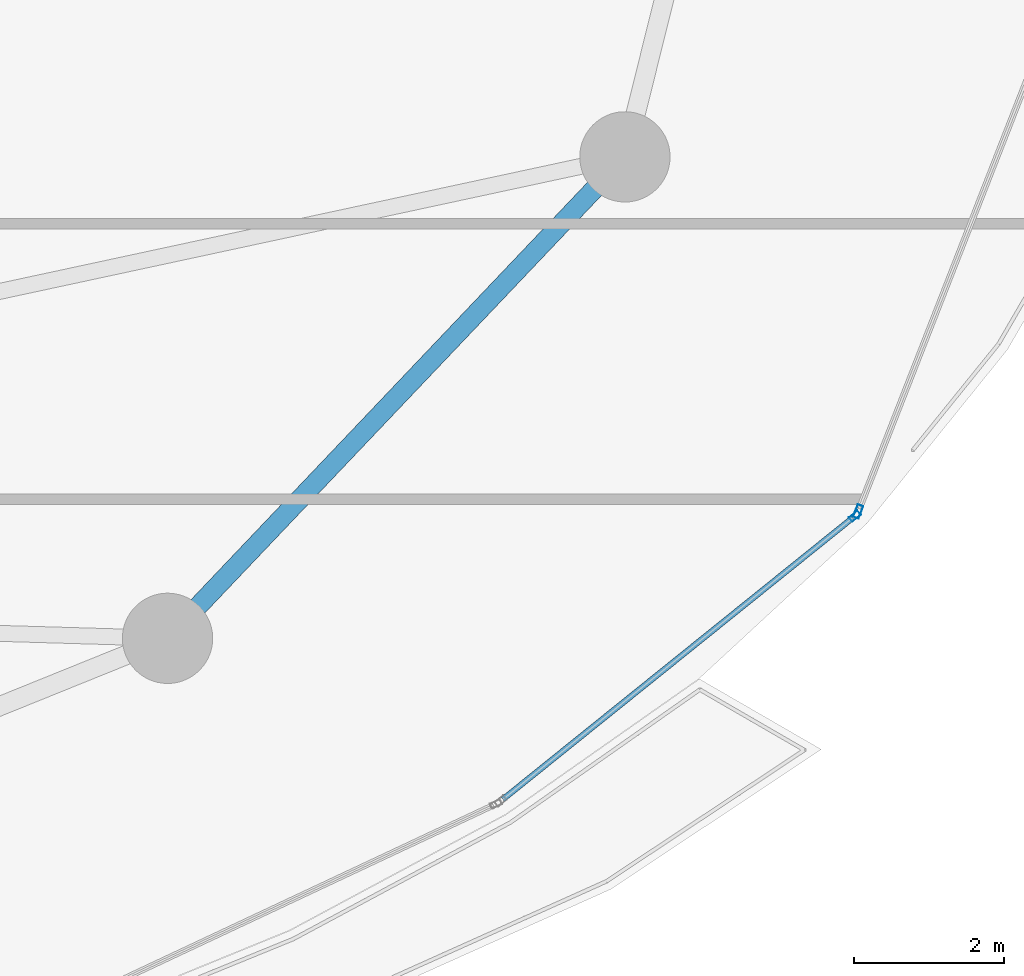
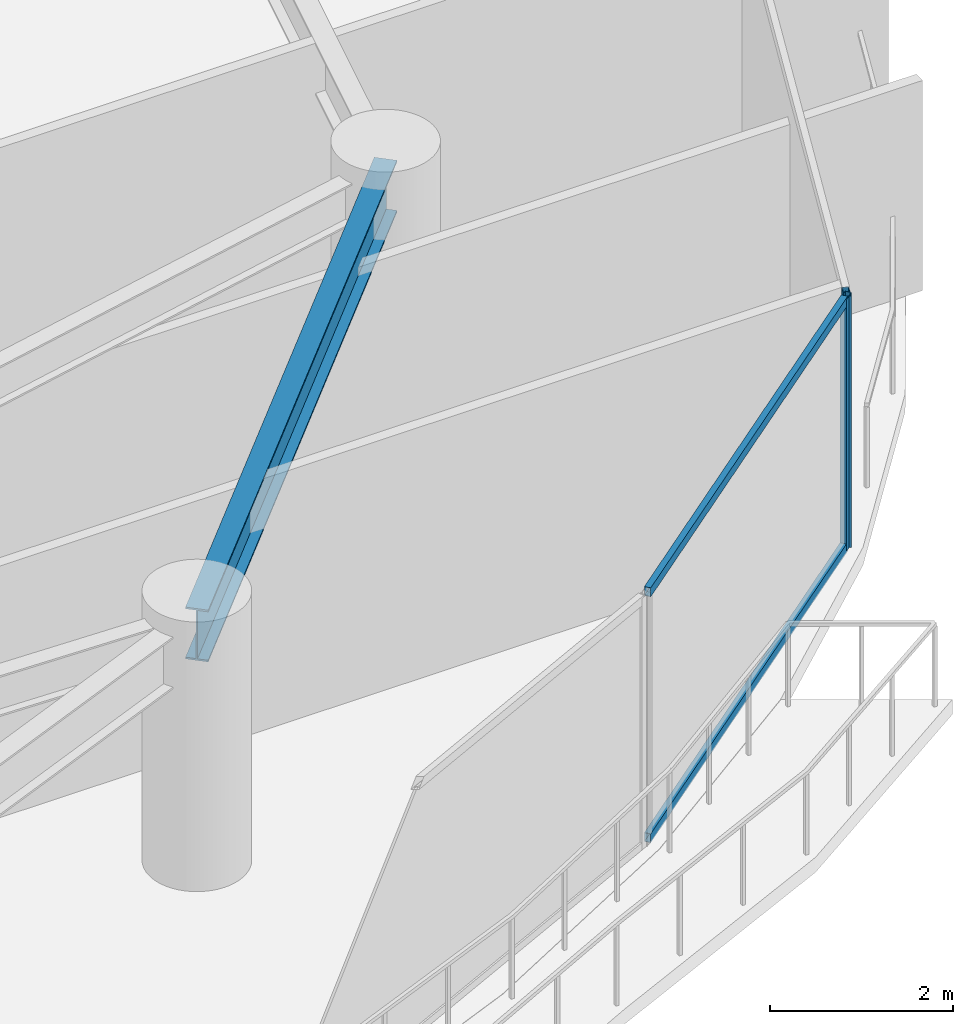
# One storey, part 15 of 34: 4 members, 1 beam, 2 elements without a shape of their own.
"""IFC4 building model written with IfcOpenShell, lengths in metres."""

import ifcopenshell
import ifcopenshell.guid

model = None  # the IFC model being written
_history = None  # IfcOwnerHistory: only IFC2X3 demands one
_inside = {}  # id of a spatial element -> (the spatial element, [elements in it])
_under = {}  # id of a project, library or spatial element -> (it, [spatial elements below it])
_declared = {}  # id of a project -> (the project, [libraries it declares])
_typed = {}  # id of a type object -> (the type object, [elements of that type])
_made_of = {}  # id of a material, layer set ... -> (it, [elements and type objects made of it])


def new_model(schema):
    """Start an empty IFC model of exactly this schema.

    Asked for "IFC4X3", IfcOpenShell would pick the latest addendum, in which some entities
    have other attributes; the version numbers below select the first issue.
    IFC2X3 requires an IfcOwnerHistory on every rooted entity: one is made here for all.
    """
    global model, _history
    if schema == "IFC4X3":
        model = ifcopenshell.file(schema_version=(4, 3, 0, 0))
    else:
        model = ifcopenshell.file(schema=schema)
    _inside.clear()
    _under.clear()
    _declared.clear()
    _typed.clear()
    _made_of.clear()
    _history = None
    if model.schema == "IFC2X3":
        org = make("IfcOrganization", Name="unknown")
        user = make(
            "IfcPersonAndOrganization",
            ThePerson=make("IfcPerson", FamilyName="unknown"),
            TheOrganization=org,
        )
        app = make(
            "IfcApplication",
            ApplicationDeveloper=org,
            Version="unknown",
            ApplicationFullName="unknown",
            ApplicationIdentifier="unknown",
        )
        _history = make(
            "IfcOwnerHistory",
            OwningUser=user,
            OwningApplication=app,
            ChangeAction="ADDED",
            CreationDate=0,
        )
    return model


def make(cls, **values):
    """One entity of the class cls with the attributes given. An attribute that is None is left unset."""
    return model.create_entity(
        cls, **{name: value for name, value in values.items() if value is not None}
    )


def rooted(cls, **values):
    """An entity with a GlobalId (a new one), such as an element, a storey or a relation."""
    return make(cls, GlobalId=ifcopenshell.guid.new(), OwnerHistory=_history, **values)


def si_unit(unit_type, name, prefix=None):
    """IfcSIUnit, for example si_unit("LENGTHUNIT", "METRE", prefix="MILLI")."""
    return make("IfcSIUnit", UnitType=unit_type, Prefix=prefix, Name=name)


def assignment(units):
    """IfcUnitAssignment: the units of a project."""
    return None if units is None else make("IfcUnitAssignment", Units=units)


def point(xyz):
    """IfcCartesianPoint."""
    return None if xyz is None else make("IfcCartesianPoint", Coordinates=xyz)


def direction(xyz):
    """IfcDirection."""
    return None if xyz is None else make("IfcDirection", DirectionRatios=xyz)


def frame(location, z_axis=None, x_axis=None):
    """IfcAxis2Placement3D, a coordinate frame: its origin and axes. An axis left out is left unset."""
    return make(
        "IfcAxis2Placement3D",
        Location=point(location),
        Axis=direction(z_axis),
        RefDirection=direction(x_axis),
    )


def frame_2d(location, x_axis=None):
    """IfcAxis2Placement2D, a coordinate frame in the plane: its origin and x axis."""
    return make(
        "IfcAxis2Placement2D", Location=point(location), RefDirection=direction(x_axis)
    )


def origin():
    """The frame at (0, 0, 0) with its axes left unset."""
    return frame((0.0, 0.0, 0.0))


def origin_2d():
    """The frame at (0, 0) in the plane with its x axis left unset."""
    return frame_2d((0.0, 0.0))


def place(relative_to, where):
    """IfcLocalPlacement: puts the frame where relative to a parent placement (None: the world)."""
    return make(
        "IfcLocalPlacement", PlacementRelTo=relative_to, RelativePlacement=where
    )


def context(
    kind, dimensions, precision=None, world=None, true_north=None, identifier=None
):
    """IfcGeometricRepresentationContext, for example the 3D "Model" context."""
    return make(
        "IfcGeometricRepresentationContext",
        ContextIdentifier=identifier,
        ContextType=kind,
        CoordinateSpaceDimension=dimensions,
        Precision=precision,
        WorldCoordinateSystem=world,
        TrueNorth=true_north,
    )


def subcontext(parent, identifier, kind, view, scale=None):
    """IfcGeometricRepresentationSubContext, for example "Body" below "Model"."""
    return make(
        "IfcGeometricRepresentationSubContext",
        ContextIdentifier=identifier,
        ContextType=kind,
        ParentContext=parent,
        TargetScale=scale,
        TargetView=view,
    )


def project(units=None, contexts=None):
    """IfcProject with its units and contexts."""
    return rooted(
        "IfcProject",
        Name="project",
        RepresentationContexts=contexts,
        UnitsInContext=assignment(units),
    )


def spatial(cls, under=None, at=None, **own):
    """A site, building, storey or space (cls), placed at a placement, below another one or the project."""
    s = rooted(cls, ObjectPlacement=at, **own)
    if under is not None:
        _under.setdefault(under.id(), (under, []))[1].append(s)
    return s


def profile(cls, at=None, kind="AREA", **sizes):
    """A parametric profile (cls). Its sizes go by their IFC names, for example OverallWidth=200.0."""
    return make(cls, ProfileType=kind, Position=at, **sizes)


def hollow_rectangle(**sizes):
    """IfcRectangleHollowProfileDef."""
    return profile("IfcRectangleHollowProfileDef", **sizes)


def i_section(**sizes):
    """IfcIShapeProfileDef."""
    return profile("IfcIShapeProfileDef", **sizes)


def extrude(swept, where, along, depth):
    """IfcExtrudedAreaSolid: the profile swept, set in the frame where, extruded along a direction by depth."""
    return make(
        "IfcExtrudedAreaSolid",
        SweptArea=swept,
        Position=where,
        ExtrudedDirection=direction(along),
        Depth=depth,
    )


def shape(context_of_items, identifier, shape_type, items):
    """IfcShapeRepresentation: the items that make up one representation, for example the "Body"."""
    return make(
        "IfcShapeRepresentation",
        ContextOfItems=context_of_items,
        RepresentationIdentifier=identifier,
        RepresentationType=shape_type,
        Items=items,
    )


def material(Name=None, Category=None):
    """IfcMaterial."""
    return make("IfcMaterial", Name=Name, Category=Category)


def layer(
    of_material, thickness, ventilated=None, Name=None, Category=None, Priority=None
):
    """IfcMaterialLayer: one layer of a wall or slab, of a material (None: an air gap)."""
    return make(
        "IfcMaterialLayer",
        Material=of_material,
        LayerThickness=thickness,
        IsVentilated=ventilated,
        Name=Name,
        Category=Category,
        Priority=Priority,
    )


def layer_set(layers, Name=None):
    """IfcMaterialLayerSet."""
    return make("IfcMaterialLayerSet", MaterialLayers=layers, LayerSetName=Name)


def material_profile(
    of_material, cross_section, Name=None, Category=None, Priority=None
):
    """IfcMaterialProfile: a cross section and its material."""
    return make(
        "IfcMaterialProfile",
        Name=Name,
        Material=of_material,
        Profile=cross_section,
        Priority=Priority,
        Category=Category,
    )


def profile_set(profiles, Name=None, composite=None):
    """IfcMaterialProfileSet."""
    return make(
        "IfcMaterialProfileSet",
        Name=Name,
        MaterialProfiles=profiles,
        CompositeProfile=composite,
    )


def made_of(thing, what):
    """Note that an element or type object is made of a material, layer set ...; save() writes the relation."""
    if what is not None:
        _made_of.setdefault(what.id(), (what, []))[1].append(thing)
    return thing


def type_object(cls, material=None, **own):
    """A type object (cls), such as IfcWallType, which elements share."""
    return made_of(rooted(cls, **own), material)


def element(
    cls,
    number,
    at=None,
    inside=None,
    cuts=None,
    type_object=None,
    material=None,
    context=None,
    identifier="Body",
    shape_type=None,
    held_by="IfcProductDefinitionShape",
    body=None,
    shapes=None,
    **own,
):
    """One element of the class cls, such as IfcWall. Its Tag is "e" and its number.

    at: its placement. inside: the storey or other place that contains it. cuts: it is an
    opening in that element (IfcRelVoidsElement). A single representation is given by context,
    identifier, shape_type and body (its items); several are given by shapes. held_by: the class
    of the entity that holds the representations. save() writes the other relations.
    """
    e = rooted(cls, Tag="e%d" % number, ObjectPlacement=at, **own)
    if body is not None:
        shapes = [shape(context, identifier, shape_type, body)]
    if shapes is not None:
        e.Representation = make(held_by, Representations=shapes)
    if inside is not None:
        _inside.setdefault(inside.id(), (inside, []))[1].append(e)
    if cuts is not None:
        rooted(
            "IfcRelVoidsElement", RelatingBuildingElement=cuts, RelatedOpeningElement=e
        )
    if type_object is not None:
        _typed.setdefault(type_object.id(), (type_object, []))[1].append(e)
    return made_of(e, material)


def aggregate(whole, parts):
    """IfcRelAggregates: a whole, such as a stair, and the parts it consists of."""
    return rooted("IfcRelAggregates", RelatingObject=whole, RelatedObjects=parts)


def save(model, path):
    """Write the relations noted so far, then the file.

    IfcRelAggregates (storeys below a building ...), IfcRelContainedInSpatialStructure (elements
    in a storey), IfcRelDefinesByType, IfcRelAssociatesMaterial and IfcRelDeclares: one each for
    every whole, place, type object, material and project.
    """
    for whole, parts in _under.values():
        aggregate(whole, parts)
    for where, things in _inside.values():
        rooted(
            "IfcRelContainedInSpatialStructure",
            RelatedElements=things,
            RelatingStructure=where,
        )
    for kind, things in _typed.values():
        rooted("IfcRelDefinesByType", RelatedObjects=things, RelatingType=kind)
    for what, things in _made_of.values():
        rooted("IfcRelAssociatesMaterial", RelatedObjects=things, RelatingMaterial=what)
    for by, libraries in _declared.values():
        rooted("IfcRelDeclares", RelatingContext=by, RelatedDefinitions=libraries)
    model.write(path)


model = new_model("IFC4")

# Units and contexts
model_context = context("Model", 3, precision=1e-05, world=origin(), true_north=direction((0.0, 1.0)))
body_context = subcontext(model_context, "Body", "Model", "MODEL_VIEW")
ifc_project = project(units=[si_unit("LENGTHUNIT", "METRE"), si_unit("AREAUNIT", "SQUARE_METRE"), si_unit("VOLUMEUNIT", "CUBIC_METRE"), si_unit("PLANEANGLEUNIT", "RADIAN"), si_unit("MASSUNIT", "GRAM", prefix="KILO")], contexts=[model_context])

# Site, building, storey
site_placement = place(None, origin())
site = spatial("IfcSite", under=ifc_project, at=site_placement, CompositionType="ELEMENT")
building_placement = place(site_placement, origin())
building = spatial("IfcBuilding", under=site, at=building_placement, Name="Kazevale Care Tower and Concert Hall", CompositionType="ELEMENT")
storey_placement = place(building_placement, frame((0.0, 0.0, 167.39990234375)))
storey = spatial("IfcBuildingStorey", under=building, at=storey_placement, Name="L44", CompositionType="ELEMENT", Elevation=167.39990234375)

# Curtain wall, member
ifc_material_1 = material(Name="Aluminium 6063-T6 and Low-E Glass", Category="aluminium")
ifc_layer_1 = layer(ifc_material_1, 0.179931640625)
ifc_layer_set_1 = layer_set([ifc_layer_1], Name="Aluminium 6063-T6 and Low-E Glass")
curtain_wall_type_1 = type_object("IfcCurtainWallType", Name="Waist & Upper Residential Curtain Wall CW-4", PredefinedType="NOTDEFINED", material=ifc_layer_set_1)
curtain_wall_1_placement = place(storey_placement, origin())
curtain_wall_1 = element("IfcCurtainWall", 1, at=curtain_wall_1_placement, inside=storey, type_object=curtain_wall_type_1, Name="cw:L44:f01", PredefinedType="NOTDEFINED")
ifc_material_2 = material(Name="Aluminium 6063-T6", Category="aluminium")
ifc_material_profile_1 = material_profile(ifc_material_2, hollow_rectangle(XDim=0.080078125, YDim=0.179931640625, WallThickness=0.0048828125, at=origin_2d()), Name="ALU80x180x5")
ifc_profile_set_1 = profile_set([ifc_material_profile_1], Name="Aluminium 6063-T6")
member_type_1 = type_object("IfcMemberType", Name="CW-4 Mullion ALU80x180x5", PredefinedType="MULLION", material=ifc_profile_set_1)
member_1_placement = place(storey_placement, frame((74.010498046875, 24.67529296875, 0.0), z_axis=(0.0, 0.0, 1.0), x_axis=(0.931351746651, -0.36412075471, 0.0)))
member_1 = element("IfcMember", 2, at=member_1_placement, type_object=member_type_1, Name="CW-4 mullion 2", PredefinedType="MULLION", context=body_context, shape_type="SweptSolid", body=[
    extrude(hollow_rectangle(XDim=0.080078125, YDim=0.179931640625, WallThickness=0.0048828125, at=origin_2d()), origin(), (0.0, 0.0, 1.0), 3.360107421875),
])
aggregate(curtain_wall_1, [member_1])

# Curtain wall, members
ifc_layer_2 = layer(ifc_material_1, 0.179931640625)
ifc_layer_set_2 = layer_set([ifc_layer_2], Name="Aluminium 6063-T6 and Low-E Glass")
curtain_wall_type_2 = type_object("IfcCurtainWallType", Name="Sheltered Concave Balcony Curtain Wall CW-5", PredefinedType="NOTDEFINED", material=ifc_layer_set_2)
curtain_wall_2_placement = place(storey_placement, origin())
curtain_wall_2 = element("IfcCurtainWall", 3, at=curtain_wall_2_placement, inside=storey, type_object=curtain_wall_type_2, Name="cw:L44:f02", PredefinedType="NOTDEFINED")
ifc_material_profile_2 = material_profile(ifc_material_2, hollow_rectangle(XDim=0.074951171875, YDim=0.14990234375, WallThickness=0.00390625, at=origin_2d()), Name="ALU75x150x4")
ifc_profile_set_2 = profile_set([ifc_material_profile_2], Name="Aluminium 6063-T6")
member_type_2 = type_object("IfcMemberType", Name="CW-5 Mullion ALU75x150x4", PredefinedType="MULLION", material=ifc_profile_set_2)
member_2_placement = place(storey_placement, frame((73.966796875, 24.614501953125, 0.0), z_axis=(0.0, 0.0, 1.0), x_axis=(0.626905357502, -0.779095419531, 0.0)))
member_2 = element("IfcMember", 4, at=member_2_placement, type_object=member_type_2, Name="CW-5 mullion 1", PredefinedType="MULLION", context=body_context, shape_type="SweptSolid", body=[
    extrude(hollow_rectangle(XDim=0.074951171875, YDim=0.14990234375, WallThickness=0.00390625, at=origin_2d()), origin(), (0.0, 0.0, 1.0), 3.360107421875),
])
ifc_material_profile_3 = material_profile(ifc_material_2, hollow_rectangle(XDim=0.074951171875, YDim=0.1201171875, WallThickness=0.00390625, at=origin_2d()), Name="ALU75x120x4")
ifc_profile_set_3 = profile_set([ifc_material_profile_3], Name="Aluminium 6063-T6")
member_type_3 = type_object("IfcMemberType", Name="CW-5 Transom ALU75x120x4", PredefinedType="USERDEFINED", material=ifc_profile_set_3)
member_3_placement = place(storey_placement, frame((73.9375, 24.591064453125, 0.03759765625), z_axis=(-0.779097461373, -0.626902819966, 0.0), x_axis=(0.626902819966, -0.779097461373, 0.0)))
member_3 = element("IfcMember", 5, at=member_3_placement, type_object=member_type_3, Name="CW-5 transom 1.1", ObjectType="TRANSOM", PredefinedType="USERDEFINED", context=body_context, shape_type="SweptSolid", body=[
    extrude(hollow_rectangle(XDim=0.074951171875, YDim=0.1201171875, WallThickness=0.00390625, at=origin_2d()), origin(), (0.0, 0.0, 1.0), 5.96728515625),
])
member_4_placement = place(storey_placement, frame((73.9375, 24.591064453125, 3.322509765625), z_axis=(-0.779097461373, -0.626902819966, 0.0), x_axis=(0.626902819966, -0.779097461373, 0.0)))
member_4 = element("IfcMember", 6, at=member_4_placement, type_object=member_type_3, Name="CW-5 transom 1.2", ObjectType="TRANSOM", PredefinedType="USERDEFINED", context=body_context, shape_type="SweptSolid", body=[
    extrude(hollow_rectangle(XDim=0.074951171875, YDim=0.1201171875, WallThickness=0.00390625, at=origin_2d()), origin(), (0.0, 0.0, 1.0), 5.96728515625),
])
aggregate(curtain_wall_2, [member_2, member_3, member_4])

# Beam
ifc_material_3 = material(Name="Steel ASTM A572 Gr 50", Category="steel")
ifc_material_profile_4 = material_profile(ifc_material_3, i_section(OverallWidth=0.256103515625, OverallDepth=0.693115234375, WebThickness=0.014404296875, FlangeThickness=0.023681640625, at=origin_2d()), Name="W690x170")
ifc_profile_set_4 = profile_set([ifc_material_profile_4], Name="Steel ASTM A572 Gr 50")
beam_type = type_object("IfcBeamType", Name="Waist Ring Beam W690x170", PredefinedType="BEAM", material=ifc_profile_set_4)
beam_placement = place(storey_placement, frame((64.830078125, 22.989990234375, 3.013671875), z_axis=(0.688745100728, 0.725003576697, 0.0), x_axis=(-0.725003576697, 0.688745100728, 0.0)))
element("IfcBeam", 7, at=beam_placement, inside=storey, type_object=beam_type, Name="beam:L44:ring:15", PredefinedType="BEAM", context=body_context, shape_type="SweptSolid", body=[
    extrude(i_section(OverallWidth=0.256103515625, OverallDepth=0.693115234375, WebThickness=0.014404296875, FlangeThickness=0.023681640625, at=origin_2d()), origin(), (0.0, 0.0, 1.0), 8.827392578125),
])

save(model, "model.ifc")
